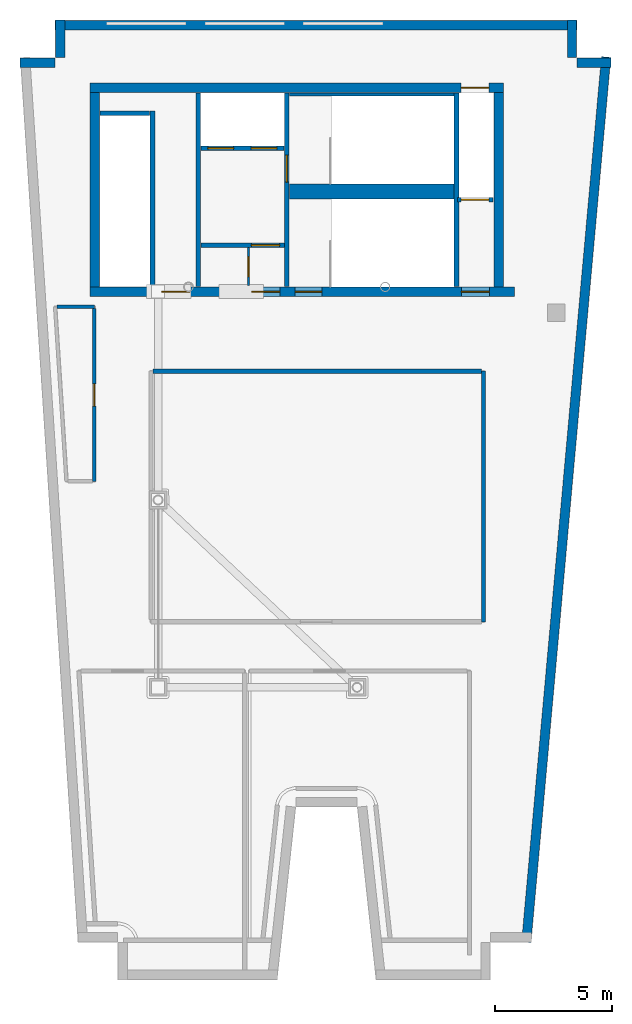
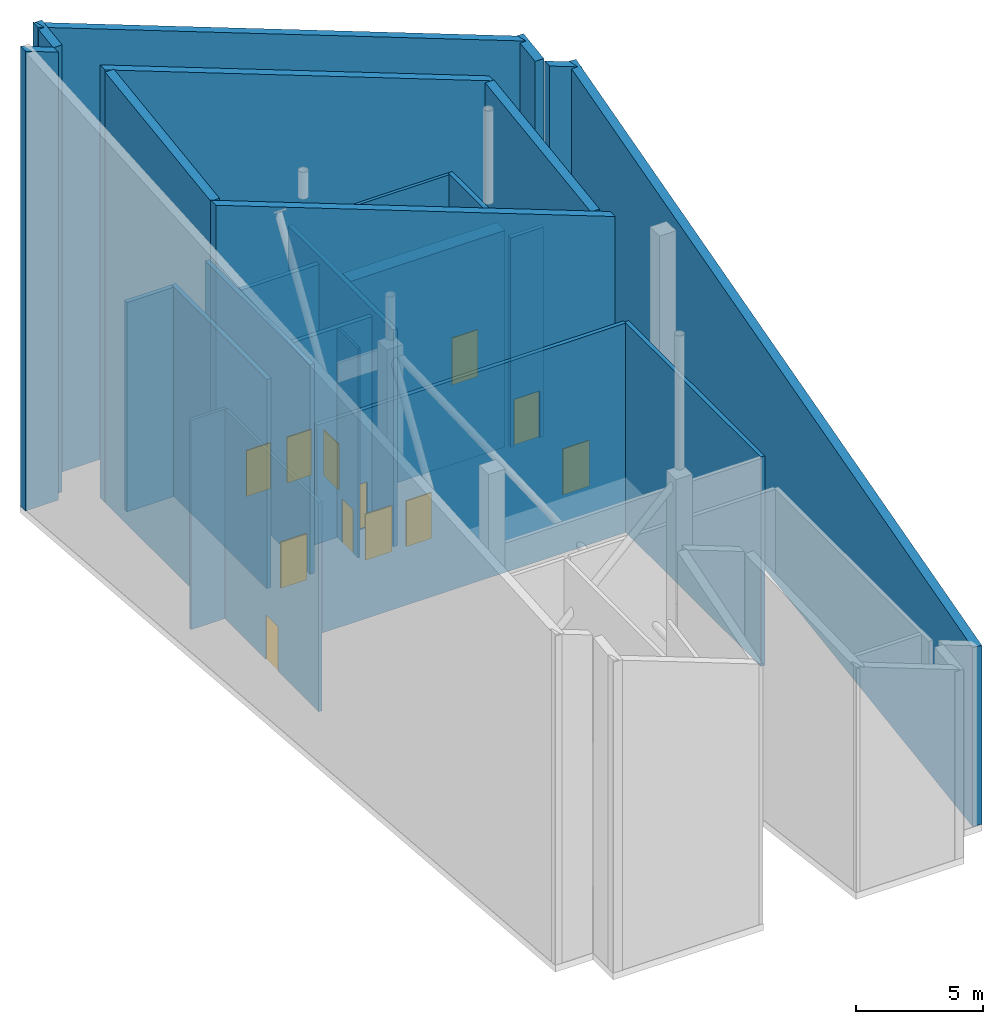
# One storey, part 2 of 3: 25 walls, 12 doors, 12 openings.
"""IFC4 building model written with IfcOpenShell, lengths in metres."""

import ifcopenshell
import ifcopenshell.guid

model = None  # the IFC model being written
_history = None  # IfcOwnerHistory: only IFC2X3 demands one
_inside = {}  # id of a spatial element -> (the spatial element, [elements in it])
_under = {}  # id of a project, library or spatial element -> (it, [spatial elements below it])
_declared = {}  # id of a project -> (the project, [libraries it declares])
_typed = {}  # id of a type object -> (the type object, [elements of that type])
_made_of = {}  # id of a material, layer set ... -> (it, [elements and type objects made of it])


def new_model(schema):
    """Start an empty IFC model of exactly this schema.

    Asked for "IFC4X3", IfcOpenShell would pick the latest addendum, in which some entities
    have other attributes; the version numbers below select the first issue.
    IFC2X3 requires an IfcOwnerHistory on every rooted entity: one is made here for all.
    """
    global model, _history
    if schema == "IFC4X3":
        model = ifcopenshell.file(schema_version=(4, 3, 0, 0))
    else:
        model = ifcopenshell.file(schema=schema)
    _inside.clear()
    _under.clear()
    _declared.clear()
    _typed.clear()
    _made_of.clear()
    _history = None
    if model.schema == "IFC2X3":
        org = make("IfcOrganization", Name="unknown")
        user = make(
            "IfcPersonAndOrganization",
            ThePerson=make("IfcPerson", FamilyName="unknown"),
            TheOrganization=org,
        )
        app = make(
            "IfcApplication",
            ApplicationDeveloper=org,
            Version="unknown",
            ApplicationFullName="unknown",
            ApplicationIdentifier="unknown",
        )
        _history = make(
            "IfcOwnerHistory",
            OwningUser=user,
            OwningApplication=app,
            ChangeAction="ADDED",
            CreationDate=0,
        )
    return model


def make(cls, **values):
    """One entity of the class cls with the attributes given. An attribute that is None is left unset."""
    return model.create_entity(
        cls, **{name: value for name, value in values.items() if value is not None}
    )


def rooted(cls, **values):
    """An entity with a GlobalId (a new one), such as an element, a storey or a relation."""
    return make(cls, GlobalId=ifcopenshell.guid.new(), OwnerHistory=_history, **values)


def si_unit(unit_type, name, prefix=None):
    """IfcSIUnit, for example si_unit("LENGTHUNIT", "METRE", prefix="MILLI")."""
    return make("IfcSIUnit", UnitType=unit_type, Prefix=prefix, Name=name)


def assignment(units):
    """IfcUnitAssignment: the units of a project."""
    return None if units is None else make("IfcUnitAssignment", Units=units)


def point(xyz):
    """IfcCartesianPoint."""
    return None if xyz is None else make("IfcCartesianPoint", Coordinates=xyz)


def direction(xyz):
    """IfcDirection."""
    return None if xyz is None else make("IfcDirection", DirectionRatios=xyz)


def frame(location, z_axis=None, x_axis=None):
    """IfcAxis2Placement3D, a coordinate frame: its origin and axes. An axis left out is left unset."""
    return make(
        "IfcAxis2Placement3D",
        Location=point(location),
        Axis=direction(z_axis),
        RefDirection=direction(x_axis),
    )


def frame_2d(location, x_axis=None):
    """IfcAxis2Placement2D, a coordinate frame in the plane: its origin and x axis."""
    return make(
        "IfcAxis2Placement2D", Location=point(location), RefDirection=direction(x_axis)
    )


def origin():
    """The frame at (0, 0, 0) with its axes left unset."""
    return frame((0.0, 0.0, 0.0))


def place(relative_to, where):
    """IfcLocalPlacement: puts the frame where relative to a parent placement (None: the world)."""
    return make(
        "IfcLocalPlacement", PlacementRelTo=relative_to, RelativePlacement=where
    )


def context(
    kind, dimensions, precision=None, world=None, true_north=None, identifier=None
):
    """IfcGeometricRepresentationContext, for example the 3D "Model" context."""
    return make(
        "IfcGeometricRepresentationContext",
        ContextIdentifier=identifier,
        ContextType=kind,
        CoordinateSpaceDimension=dimensions,
        Precision=precision,
        WorldCoordinateSystem=world,
        TrueNorth=true_north,
    )


def subcontext(parent, identifier, kind, view, scale=None):
    """IfcGeometricRepresentationSubContext, for example "Body" below "Model"."""
    return make(
        "IfcGeometricRepresentationSubContext",
        ContextIdentifier=identifier,
        ContextType=kind,
        ParentContext=parent,
        TargetScale=scale,
        TargetView=view,
    )


def project(units=None, contexts=None):
    """IfcProject with its units and contexts."""
    return rooted(
        "IfcProject",
        Name="project",
        RepresentationContexts=contexts,
        UnitsInContext=assignment(units),
    )


def spatial(cls, under=None, at=None, **own):
    """A site, building, storey or space (cls), placed at a placement, below another one or the project."""
    s = rooted(cls, ObjectPlacement=at, **own)
    if under is not None:
        _under.setdefault(under.id(), (under, []))[1].append(s)
    return s


def polyline(points):
    """IfcPolyline through the points."""
    return make("IfcPolyline", Points=[point(p) for p in points])


def profile(cls, at=None, kind="AREA", **sizes):
    """A parametric profile (cls). Its sizes go by their IFC names, for example OverallWidth=200.0."""
    return make(cls, ProfileType=kind, Position=at, **sizes)


def rectangle(**sizes):
    """IfcRectangleProfileDef."""
    return profile("IfcRectangleProfileDef", **sizes)


def outline(outer, holes=None, kind="AREA"):
    """IfcArbitraryClosedProfileDef: a profile drawn as a closed curve; with holes, ...WithVoids."""
    if holes is None:
        return make("IfcArbitraryClosedProfileDef", ProfileType=kind, OuterCurve=outer)
    return make(
        "IfcArbitraryProfileDefWithVoids",
        ProfileType=kind,
        OuterCurve=outer,
        InnerCurves=holes,
    )


def extrude(swept, where, along, depth):
    """IfcExtrudedAreaSolid: the profile swept, set in the frame where, extruded along a direction by depth."""
    return make(
        "IfcExtrudedAreaSolid",
        SweptArea=swept,
        Position=where,
        ExtrudedDirection=direction(along),
        Depth=depth,
    )


def shape(context_of_items, identifier, shape_type, items):
    """IfcShapeRepresentation: the items that make up one representation, for example the "Body"."""
    return make(
        "IfcShapeRepresentation",
        ContextOfItems=context_of_items,
        RepresentationIdentifier=identifier,
        RepresentationType=shape_type,
        Items=items,
    )


def material(Name=None, Category=None):
    """IfcMaterial."""
    return make("IfcMaterial", Name=Name, Category=Category)


def layer(
    of_material, thickness, ventilated=None, Name=None, Category=None, Priority=None
):
    """IfcMaterialLayer: one layer of a wall or slab, of a material (None: an air gap)."""
    return make(
        "IfcMaterialLayer",
        Material=of_material,
        LayerThickness=thickness,
        IsVentilated=ventilated,
        Name=Name,
        Category=Category,
        Priority=Priority,
    )


def layer_set(layers, Name=None):
    """IfcMaterialLayerSet."""
    return make("IfcMaterialLayerSet", MaterialLayers=layers, LayerSetName=Name)


def made_of(thing, what):
    """Note that an element or type object is made of a material, layer set ...; save() writes the relation."""
    if what is not None:
        _made_of.setdefault(what.id(), (what, []))[1].append(thing)
    return thing


def type_object(cls, material=None, **own):
    """A type object (cls), such as IfcWallType, which elements share."""
    return made_of(rooted(cls, **own), material)


def element(
    cls,
    number,
    at=None,
    inside=None,
    cuts=None,
    type_object=None,
    material=None,
    context=None,
    identifier="Body",
    shape_type=None,
    held_by="IfcProductDefinitionShape",
    body=None,
    shapes=None,
    **own,
):
    """One element of the class cls, such as IfcWall. Its Tag is "e" and its number.

    at: its placement. inside: the storey or other place that contains it. cuts: it is an
    opening in that element (IfcRelVoidsElement). A single representation is given by context,
    identifier, shape_type and body (its items); several are given by shapes. held_by: the class
    of the entity that holds the representations. save() writes the other relations.
    """
    e = rooted(cls, Tag="e%d" % number, ObjectPlacement=at, **own)
    if body is not None:
        shapes = [shape(context, identifier, shape_type, body)]
    if shapes is not None:
        e.Representation = make(held_by, Representations=shapes)
    if inside is not None:
        _inside.setdefault(inside.id(), (inside, []))[1].append(e)
    if cuts is not None:
        rooted(
            "IfcRelVoidsElement", RelatingBuildingElement=cuts, RelatedOpeningElement=e
        )
    if type_object is not None:
        _typed.setdefault(type_object.id(), (type_object, []))[1].append(e)
    return made_of(e, material)


def fill(opening, filler):
    """IfcRelFillsElement: the door or window that sits in an opening."""
    return rooted(
        "IfcRelFillsElement",
        RelatingOpeningElement=opening,
        RelatedBuildingElement=filler,
    )


def aggregate(whole, parts):
    """IfcRelAggregates: a whole, such as a stair, and the parts it consists of."""
    return rooted("IfcRelAggregates", RelatingObject=whole, RelatedObjects=parts)


def save(model, path):
    """Write the relations noted so far, then the file.

    IfcRelAggregates (storeys below a building ...), IfcRelContainedInSpatialStructure (elements
    in a storey), IfcRelDefinesByType, IfcRelAssociatesMaterial and IfcRelDeclares: one each for
    every whole, place, type object, material and project.
    """
    for whole, parts in _under.values():
        aggregate(whole, parts)
    for where, things in _inside.values():
        rooted(
            "IfcRelContainedInSpatialStructure",
            RelatedElements=things,
            RelatingStructure=where,
        )
    for kind, things in _typed.values():
        rooted("IfcRelDefinesByType", RelatedObjects=things, RelatingType=kind)
    for what, things in _made_of.values():
        rooted("IfcRelAssociatesMaterial", RelatedObjects=things, RelatingMaterial=what)
    for by, libraries in _declared.values():
        rooted("IfcRelDeclares", RelatingContext=by, RelatedDefinitions=libraries)
    model.write(path)


model = new_model("IFC4")

# Units and contexts
model_context = context("Model", 3, precision=1e-05, world=origin(), true_north=direction((0.0, 1.0)))
body_context = subcontext(model_context, "Body", "Model", "MODEL_VIEW")
ifc_project = project(units=[si_unit("LENGTHUNIT", "METRE"), si_unit("AREAUNIT", "SQUARE_METRE"), si_unit("VOLUMEUNIT", "CUBIC_METRE"), si_unit("PLANEANGLEUNIT", "RADIAN"), si_unit("MASSUNIT", "GRAM", prefix="KILO")], contexts=[model_context])

# Site, building, storey
site_placement = place(None, origin())
site = spatial("IfcSite", under=ifc_project, at=site_placement, CompositionType="ELEMENT")
building_placement = place(site_placement, origin())
building = spatial("IfcBuilding", under=site, at=building_placement, Name="Caeloran Harvest Quay", CompositionType="ELEMENT")
storey_placement = place(building_placement, frame((0.0, 0.0, 324.050048828125)))
storey = spatial("IfcBuildingStorey", under=building, at=storey_placement, Name="L78", CompositionType="ELEMENT", Elevation=324.050048828125)

# Wall, opening, door
ifc_material_1 = material(Name="Fire-Resisting Gypsum Core Riser Partition", Category="gypsum")
ifc_layer_1 = layer(ifc_material_1, 0.10009765625, Name="Fire-Resisting Gypsum Core Riser Partition")
ifc_layer_set_1 = layer_set([ifc_layer_1], Name="Fire-Resisting Gypsum Core Riser Partition")
wall_type_1 = type_object("IfcWallType", Name="INT-WALL-PW-100", PredefinedType="PARTITIONING", material=ifc_layer_set_1)
wall_1_placement = place(storey_placement, frame((12.360107421875, 32.159912109375, 0.0), z_axis=(0.0, 0.0, 1.0), x_axis=(0.0, 1.0, 0.0)))
wall_1 = element("IfcWall", 1, at=wall_1_placement, inside=storey, type_object=wall_type_1, Name="L78 Core Store Partition Wall", PredefinedType="PARTITIONING", context=body_context, shape_type="SweptSolid", body=[
    extrude(rectangle(XDim=1.6201171875, YDim=0.10009765625, at=frame_2d((0.81005859375, 0.0))), origin(), (0.0, 0.0, 1.0), 10.050048828125),
])
opening_1_placement = place(wall_1_placement, frame((0.3798828125, 0.0, 0.0)))
opening_1 = element("IfcOpeningElement", 2, at=opening_1_placement, cuts=wall_1, Name="Opening SV-01", PredefinedType="OPENING", context=body_context, shape_type="SweptSolid", body=[
    extrude(rectangle(XDim=0.85009765625, YDim=2.10009765625, at=frame_2d((0.425048828125, 1.050048828125))), frame((0.0, 0.06005859375, 0.0), z_axis=(0.0, -1.0, 0.0), x_axis=(1.0, 0.0, 0.0)), (0.0, 0.0, 1.0), 0.1201171875),
])
ifc_material_2 = material(Name="Galvanized Painted Steel", Category="steel")
door_type_1 = type_object("IfcDoorType", Name="INTDOOR-SV-01", OperationType="NOTDEFINED", PredefinedType="DOOR", material=ifc_material_2)
door_1_placement = place(opening_1_placement, origin())
door_1 = element("IfcDoor", 3, at=door_1_placement, inside=storey, type_object=door_type_1, Name="L78 Core Service Room Access Door", OperationType="SINGLE_SWING_RIGHT", OverallHeight=2.10009765625, OverallWidth=0.85009765625, PredefinedType="DOOR", context=body_context, shape_type="SweptSolid", body=[
    extrude(rectangle(XDim=0.85009765625, YDim=2.10009765625, at=frame_2d((0.425048828125, 1.050048828125))), frame((0.0, 0.02490234375, 0.0), z_axis=(0.0, -1.0, 0.0), x_axis=(1.0, 0.0, 0.0)), (0.0, 0.0, 1.0), 0.050048828125),
])
fill(opening_1, door_1)

# Wall
ifc_material_3 = material(Name="Moisture-Resistant Cement-Board Sanitary Partition", Category="gypsum")
ifc_layer_2 = layer(ifc_material_3, 0.139892578125, Name="Moisture-Resistant Cement-Board Sanitary Partition")
ifc_layer_set_2 = layer_set([ifc_layer_2], Name="Moisture-Resistant Cement-Board Sanitary Partition")
wall_type_2 = type_object("IfcWallType", Name="INT-WALL-PW-140", PredefinedType="PARTITIONING", material=ifc_layer_set_2)
wall_2_placement = place(storey_placement, frame((4.17724609375, 31.25, 0.0), z_axis=(0.0, 0.0, 1.0), x_axis=(1.0, 0.0, 0.0)))
element("IfcWall", 4, at=wall_2_placement, inside=storey, type_object=wall_type_2, Name="L78 Maintenance Staff Accessible WC Partition Wall", PredefinedType="PARTITIONING", context=body_context, shape_type="SweptSolid", body=[
    extrude(rectangle(XDim=1.602783203125, YDim=0.139892578125, at=frame_2d((0.80126953125, 0.0))), origin(), (0.0, 0.0, 1.0), 10.050048828125),
])

# Wall, opening, door
wall_3_placement = place(storey_placement, frame((5.780029296875, 31.175048828125, 0.0), z_axis=(0.0, 0.0, 1.0), x_axis=(0.0, -1.0, 0.0)))
wall_3 = element("IfcWall", 5, at=wall_3_placement, inside=storey, type_object=wall_type_2, Name="L78 Maintenance Staff Accessible WC Partition Wall", PredefinedType="PARTITIONING", context=body_context, shape_type="SweptSolid", body=[
    extrude(rectangle(XDim=7.375, YDim=0.139892578125, at=frame_2d((3.6875, 0.0))), origin(), (0.0, 0.0, 1.0), 10.050048828125),
])
opening_2_placement = place(wall_3_placement, frame((3.21240234375, 0.0, 0.0)))
opening_2 = element("IfcOpeningElement", 6, at=opening_2_placement, cuts=wall_3, Name="Opening WC-01", PredefinedType="OPENING", context=body_context, shape_type="SweptSolid", body=[
    extrude(rectangle(XDim=0.949951171875, YDim=2.14990234375, at=frame_2d((0.47509765625, 1.074951171875))), frame((0.0, 0.080078125, 0.0), z_axis=(0.0, -1.0, 0.0), x_axis=(1.0, 0.0, 0.0)), (0.0, 0.0, 1.0), 0.159912109375),
])
ifc_material_4 = material(Name="High-Pressure Laminate Moisture-Resistant Timber", Category="wood")
door_type_2 = type_object("IfcDoorType", Name="INTDOOR-WC-01", OperationType="NOTDEFINED", PredefinedType="DOOR", material=ifc_material_4)
door_2_placement = place(opening_2_placement, origin())
door_2 = element("IfcDoor", 7, at=door_2_placement, inside=storey, type_object=door_type_2, Name="L78 Maintenance Staff Accessible WC Access Door", OperationType="SINGLE_SWING_LEFT", OverallHeight=2.14990234375, OverallWidth=0.949951171875, PredefinedType="DOOR", context=body_context, shape_type="SweptSolid", body=[
    extrude(rectangle(XDim=0.949951171875, YDim=2.14990234375, at=frame_2d((0.47509765625, 1.074951171875))), frame((0.0, 0.02490234375, 0.0), z_axis=(0.0, -1.0, 0.0), x_axis=(1.0, 0.0, 0.0)), (0.0, 0.0, 1.0), 0.050048828125),
])
fill(opening_2, door_2)

# Walls
ifc_material_5 = material(Name="Autoclaved Aerated Concrete Blockwork", Category="masonry")
ifc_layer_3 = layer(ifc_material_5, 0.179931640625, Name="Autoclaved Aerated Concrete Blockwork")
ifc_layer_set_3 = layer_set([ifc_layer_3], Name="Autoclaved Aerated Concrete Blockwork")
wall_type_3 = type_object("IfcWallType", Name="INT-WALL-PW-180", PredefinedType="PARTITIONING", material=ifc_layer_set_3)
wall_4_placement = place(storey_placement, frame((22.39990234375, 28.5, 0.0), z_axis=(0.0, 0.0, 1.0), x_axis=(0.0, -1.0, 0.0)))
element("IfcWall", 8, at=wall_4_placement, inside=storey, type_object=wall_type_3, Name="Crown Rainwater Harvesting Storage and Gravity Header Tank Room Partition Wall", PredefinedType="PARTITIONING", context=body_context, shape_type="SweptSolid", body=[
    extrude(rectangle(XDim=10.699951171875, YDim=0.179931640625, at=frame_2d((5.35009765625, 0.0))), origin(), (0.0, 0.0, 1.0), 10.050048828125),
])
wall_5_placement = place(storey_placement, frame((8.294921875, 28.5, 0.0), z_axis=(0.0, 0.0, 1.0), x_axis=(1.0, 0.0, 0.0)))
element("IfcWall", 9, at=wall_5_placement, inside=storey, type_object=wall_type_3, Name="Crown Rainwater Harvesting Storage and Gravity Header Tank Room Partition Wall", PredefinedType="PARTITIONING", context=body_context, shape_type="SweptSolid", body=[
    extrude(rectangle(XDim=14.010009765625, YDim=0.179931640625, at=frame_2d((7.0048828125, 0.0))), origin(), (0.0, 0.0, 1.0), 10.050048828125),
])
ifc_material_6 = material(Name="Concrete C50/60", Category="concrete")
ifc_layer_4 = layer(ifc_material_6, 0.199951171875, Name="Concrete C50/60")
ifc_layer_set_4 = layer_set([ifc_layer_4], Name="Concrete C50/60")
wall_type_4 = type_object("IfcWallType", Name="INT-WALL-SW-200", PredefinedType="PARTITIONING", material=ifc_layer_set_4)
wall_6_placement = place(storey_placement, frame((8.260009765625, 32.1201171875, 0.0), z_axis=(0.0, 0.0, 1.0), x_axis=(0.0, 1.0, 0.0)))
element("IfcWall", 10, at=wall_6_placement, inside=storey, type_object=wall_type_4, Name="L78 Bank 3 Lift Shaft Wall", PredefinedType="PARTITIONING", context=body_context, shape_type="SweptSolid", body=[
    extrude(rectangle(XDim=7.5, YDim=0.199951171875, at=frame_2d((3.75, 0.0))), origin(), (0.0, 0.0, 1.0), 10.050048828125),
])
wall_7_placement = place(storey_placement, frame((6.02001953125, 39.52001953125, 0.0), z_axis=(0.0, 0.0, 1.0), x_axis=(1.0, 0.0, 0.0)))
element("IfcWall", 11, at=wall_7_placement, inside=storey, type_object=wall_type_4, Name="L78 Bank 3 Lift Shaft North End Wall", PredefinedType="PARTITIONING", context=body_context, shape_type="SweptSolid", body=[
    extrude(rectangle(XDim=2.119873046875, YDim=0.199951171875, at=frame_2d((1.06005859375, 0.0))), origin(), (0.0, 0.0, 1.0), 10.050048828125),
])
wall_8_placement = place(storey_placement, frame((10.219970703125, 32.1201171875, 0.0), z_axis=(0.0, 0.0, 1.0), x_axis=(0.0, 1.0, 0.0)))
element("IfcWall", 12, at=wall_8_placement, inside=storey, type_object=wall_type_4, Name="L78 Core Lobby Compartment Wall", PredefinedType="PARTITIONING", context=body_context, shape_type="SweptSolid", body=[
    extrude(rectangle(XDim=8.259765625, YDim=0.199951171875, at=frame_2d((4.1298828125, 0.0))), origin(), (0.0, 0.0, 1.0), 10.050048828125),
])

# Wall, openings, doors
wall_9_placement = place(storey_placement, frame((10.340087890625, 38.02001953125, 0.0), z_axis=(0.0, 0.0, 1.0), x_axis=(1.0, 0.0, 0.0)))
wall_9 = element("IfcWall", 13, at=wall_9_placement, inside=storey, type_object=wall_type_4, Name="L78 Firefighting Lift Shaft Wall", PredefinedType="PARTITIONING", context=body_context, shape_type="SweptSolid", body=[
    extrude(rectangle(XDim=3.539794921875, YDim=0.199951171875, at=frame_2d((1.77001953125, 0.0))), origin(), (0.0, 0.0, 1.0), 10.050048828125),
])
opening_3_placement = place(wall_9_placement, frame((0.284912109375, 0.0, 0.0)))
opening_3 = element("IfcOpeningElement", 14, at=opening_3_placement, cuts=wall_9, Name="Opening LD-01", PredefinedType="OPENING", context=body_context, shape_type="SweptSolid", body=[
    extrude(rectangle(XDim=1.10009765625, YDim=2.199951171875, at=frame_2d((0.550048828125, 1.10009765625))), frame((0.0, 0.10986328125, 0.0), z_axis=(0.0, -1.0, 0.0), x_axis=(1.0, 0.0, 0.0)), (0.0, 0.0, 1.0), 0.219970703125),
])
opening_4_placement = place(wall_9_placement, frame((2.135009765625, 0.0, 0.0)))
opening_4 = element("IfcOpeningElement", 15, at=opening_4_placement, cuts=wall_9, Name="Opening LD-01", PredefinedType="OPENING", context=body_context, shape_type="SweptSolid", body=[
    extrude(rectangle(XDim=1.10009765625, YDim=2.199951171875, at=frame_2d((0.550048828125, 1.10009765625))), frame((0.0, 0.10986328125, 0.0), z_axis=(0.0, -1.0, 0.0), x_axis=(1.0, 0.0, 0.0)), (0.0, 0.0, 1.0), 0.219970703125),
])
ifc_material_7 = material(Name="Stainless Steel Grade 316", Category="steel")
door_type_3 = type_object("IfcDoorType", Name="INTDOOR-LD-01", OperationType="NOTDEFINED", PredefinedType="DOOR", material=ifc_material_7)
door_3_placement = place(opening_3_placement, origin())
door_3 = element("IfcDoor", 16, at=door_3_placement, inside=storey, type_object=door_type_3, Name="Lift FF-1 Sliding Landing Door (L78)", OperationType="DOUBLE_DOOR_SLIDING", OverallHeight=2.199951171875, OverallWidth=1.10009765625, PredefinedType="DOOR", context=body_context, shape_type="SweptSolid", body=[
    extrude(rectangle(XDim=1.10009765625, YDim=2.199951171875, at=frame_2d((0.550048828125, 1.10009765625))), frame((0.0, 0.02490234375, 0.0), z_axis=(0.0, -1.0, 0.0), x_axis=(1.0, 0.0, 0.0)), (0.0, 0.0, 1.0), 0.050048828125),
])
fill(opening_3, door_3)
door_4_placement = place(opening_4_placement, origin())
door_4 = element("IfcDoor", 17, at=door_4_placement, inside=storey, type_object=door_type_3, Name="Lift FF-2 Sliding Landing Door (L78)", OperationType="DOUBLE_DOOR_SLIDING", OverallHeight=2.199951171875, OverallWidth=1.10009765625, PredefinedType="DOOR", context=body_context, shape_type="SweptSolid", body=[
    extrude(rectangle(XDim=1.10009765625, YDim=2.199951171875, at=frame_2d((0.550048828125, 1.10009765625))), frame((0.0, 0.02490234375, 0.0), z_axis=(0.0, -1.0, 0.0), x_axis=(1.0, 0.0, 0.0)), (0.0, 0.0, 1.0), 0.050048828125),
])
fill(opening_4, door_4)

# Wall, opening, door
wall_10_placement = place(storey_placement, frame((10.340087890625, 33.8798828125, 0.0), z_axis=(0.0, 0.0, 1.0), x_axis=(1.0, 0.0, 0.0)))
wall_10 = element("IfcWall", 18, at=wall_10_placement, inside=storey, type_object=wall_type_4, Name="L78 Firefighting Lift Lobby Enclosure Wall", PredefinedType="PARTITIONING", context=body_context, shape_type="SweptSolid", body=[
    extrude(rectangle(XDim=3.559814453125, YDim=0.199951171875, at=frame_2d((1.77978515625, 0.0))), origin(), (0.0, 0.0, 1.0), 10.050048828125),
])
opening_5_placement = place(wall_10_placement, frame((2.14990234375, 0.0, 0.0)))
opening_5 = element("IfcOpeningElement", 19, at=opening_5_placement, cuts=wall_10, Name="Opening FD-01", PredefinedType="OPENING", context=body_context, shape_type="SweptSolid", body=[
    extrude(rectangle(XDim=1.199951171875, YDim=2.199951171875, at=frame_2d((0.60009765625, 1.10009765625))), frame((0.0, 0.10986328125, 0.0), z_axis=(0.0, -1.0, 0.0), x_axis=(1.0, 0.0, 0.0)), (0.0, 0.0, 1.0), 0.219970703125),
])
ifc_material_8 = material(Name="Steel", Category="steel")
door_type_4 = type_object("IfcDoorType", Name="INTDOOR-FD-01", OperationType="NOTDEFINED", PredefinedType="DOOR", material=ifc_material_8)
door_5_placement = place(opening_5_placement, origin())
door_5 = element("IfcDoor", 20, at=door_5_placement, inside=storey, type_object=door_type_4, Name="L78 Firefighting Lift Lobby Smoke-Seal Fire Door", OperationType="SINGLE_SWING_LEFT", OverallHeight=2.199951171875, OverallWidth=1.199951171875, PredefinedType="DOOR", context=body_context, shape_type="SweptSolid", body=[
    extrude(rectangle(XDim=1.199951171875, YDim=2.199951171875, at=frame_2d((0.60009765625, 1.10009765625))), frame((0.0, 0.02490234375, 0.0), z_axis=(0.0, -1.0, 0.0), x_axis=(1.0, 0.0, 0.0)), (0.0, 0.0, 1.0), 0.050048828125),
])
fill(opening_5, door_5)

wall_11_placement = place(storey_placement, frame((21.300048828125, 35.820068359375, 0.0), z_axis=(0.0, 0.0, 1.0), x_axis=(1.0, 0.0, 0.0)))
wall_11 = element("IfcWall", 21, at=wall_11_placement, inside=storey, type_object=wall_type_4, Name="L78 Service Lift SV-2 Shaft Wall", PredefinedType="PARTITIONING", context=body_context, shape_type="SweptSolid", body=[
    extrude(rectangle(XDim=1.5, YDim=0.199951171875, at=frame_2d((0.75, 0.0))), origin(), (0.0, 0.0, 1.0), 10.050048828125),
])
opening_6_placement = place(wall_11_placement, frame((0.14501953125, 0.0, 0.0)))
opening_6 = element("IfcOpeningElement", 22, at=opening_6_placement, cuts=wall_11, Name="Opening LD-02", PredefinedType="OPENING", context=body_context, shape_type="SweptSolid", body=[
    extrude(rectangle(XDim=1.179931640625, YDim=2.25, at=frame_2d((0.58984375, 1.125))), frame((0.0, 0.10986328125, 0.0), z_axis=(0.0, -1.0, 0.0), x_axis=(1.0, 0.0, 0.0)), (0.0, 0.0, 1.0), 0.219970703125),
])
door_type_5 = type_object("IfcDoorType", Name="INTDOOR-LD-02", OperationType="NOTDEFINED", PredefinedType="DOOR", material=ifc_material_7)
door_6_placement = place(opening_6_placement, origin())
door_6 = element("IfcDoor", 23, at=door_6_placement, inside=storey, type_object=door_type_5, Name="Lift SV-2 Sliding Landing Door (L78)", OperationType="DOUBLE_DOOR_SLIDING", OverallHeight=2.25, OverallWidth=1.179931640625, PredefinedType="DOOR", context=body_context, shape_type="SweptSolid", body=[
    extrude(rectangle(XDim=1.179931640625, YDim=2.25, at=frame_2d((0.58984375, 1.125))), frame((0.0, 0.02490234375, 0.0), z_axis=(0.0, -1.0, 0.0), x_axis=(1.0, 0.0, 0.0)), (0.0, 0.0, 1.0), 0.050048828125),
])
fill(opening_6, door_6)

ifc_material_9 = material(Name="Concrete C60/75", Category="concrete")
ifc_layer_5 = layer(ifc_material_9, 0.39990234375, Name="Concrete C60/75")
ifc_layer_set_5 = layer_set([ifc_layer_5], Name="Concrete C60/75")
wall_type_5 = type_object("IfcWallType", Name="STR-WALL-CW-400", PredefinedType="SHEAR", material=ifc_layer_set_5)
wall_12_placement = place(storey_placement, frame((5.60009765625, 40.60009765625, 0.0), z_axis=(0.0, 0.0, 1.0), x_axis=(1.0, 0.0, 0.0)))
wall_12 = element("IfcWall", 24, at=wall_12_placement, inside=storey, type_object=wall_type_5, Name="L78 Rear Core Shear Wall N", PredefinedType="SHEAR", context=body_context, shape_type="SweptSolid", body=[
    extrude(outline(polyline([(0.0, 0.0), (17.64990234375, 0.0), (17.64990234375, 14.06689453125), (0.0, 20.77392578125), (0.0, 0.0)])), frame((0.0, 0.199951171875, 0.0), z_axis=(0.0, -1.0, 0.0), x_axis=(1.0, 0.0, 0.0)), (0.0, 0.0, 1.0), 0.39990234375),
])
opening_7_placement = place(wall_12_placement, frame((15.844970703125, 0.0, 0.0)))
opening_7 = element("IfcOpeningElement", 25, at=opening_7_placement, cuts=wall_12, Name="Opening LD-02", PredefinedType="OPENING", context=body_context, shape_type="SweptSolid", body=[
    extrude(rectangle(XDim=1.179931640625, YDim=2.25, at=frame_2d((0.58984375, 1.125))), frame((0.0, 0.2099609375, 0.0), z_axis=(0.0, -1.0, 0.0), x_axis=(1.0, 0.0, 0.0)), (0.0, 0.0, 1.0), 0.419921875),
])
door_7_placement = place(opening_7_placement, origin())
door_7 = element("IfcDoor", 26, at=door_7_placement, inside=storey, type_object=door_type_5, Name="Lift SV-1 Sliding Landing Door (L78)", OperationType="DOUBLE_DOOR_SLIDING", OverallHeight=2.25, OverallWidth=1.179931640625, PredefinedType="DOOR", context=body_context, shape_type="SweptSolid", body=[
    extrude(rectangle(XDim=1.179931640625, YDim=2.25, at=frame_2d((0.58984375, 1.125))), frame((0.0, 0.02490234375, 0.0), z_axis=(0.0, -1.0, 0.0), x_axis=(1.0, 0.0, 0.0)), (0.0, 0.0, 1.0), 0.050048828125),
])
fill(opening_7, door_7)

# Wall, openings, doors
wall_13_placement = place(storey_placement, frame((5.60009765625, 31.89990234375, 0.0), z_axis=(0.0, 0.0, 1.0), x_axis=(1.0, 0.0, 0.0)))
wall_13 = element("IfcWall", 27, at=wall_13_placement, inside=storey, type_object=wall_type_5, Name="L78 Rear Core Shear Wall S", PredefinedType="SHEAR", context=body_context, shape_type="SweptSolid", body=[
    extrude(outline(polyline([(0.0, 0.0), (18.119873046875, 0.0), (18.1201171875, 12.67041015625), (0.0, 19.555908203125), (0.0, 0.0)])), frame((0.0, 0.199951171875, 0.0), z_axis=(0.0, -1.0, 0.0), x_axis=(1.0, 0.0, 0.0)), (0.0, 0.0, 1.0), 0.39990234375),
])
opening_8_placement = place(wall_13_placement, frame((3.050048828125, 0.0, 0.0)))
opening_8 = element("IfcOpeningElement", 28, at=opening_8_placement, cuts=wall_13, Name="Opening FD-01", PredefinedType="OPENING", context=body_context, shape_type="SweptSolid", body=[
    extrude(rectangle(XDim=1.199951171875, YDim=2.199951171875, at=frame_2d((0.60009765625, 1.10009765625))), frame((0.0, 0.2099609375, 0.0), z_axis=(0.0, -1.0, 0.0), x_axis=(1.0, 0.0, 0.0)), (0.0, 0.0, 1.0), 0.419921875),
])
opening_9_placement = place(wall_13_placement, frame((6.89990234375, 0.0, 0.0)))
opening_9 = element("IfcOpeningElement", 29, at=opening_9_placement, cuts=wall_13, Name="Opening FD-01", PredefinedType="OPENING", context=body_context, shape_type="SweptSolid", body=[
    extrude(rectangle(XDim=1.199951171875, YDim=2.199951171875, at=frame_2d((0.60009765625, 1.10009765625))), frame((0.0, 0.2099609375, 0.0), z_axis=(0.0, -1.0, 0.0), x_axis=(1.0, 0.0, 0.0)), (0.0, 0.0, 1.0), 0.419921875),
])
opening_10_placement = place(wall_13_placement, frame((8.75, 0.0, 0.0)))
opening_10 = element("IfcOpeningElement", 30, at=opening_10_placement, cuts=wall_13, Name="Opening SD-01", PredefinedType="OPENING", context=body_context, shape_type="SweptSolid", body=[
    extrude(rectangle(XDim=1.14990234375, YDim=2.199951171875, at=frame_2d((0.574951171875, 1.10009765625))), frame((0.0, 0.2099609375, 0.0), z_axis=(0.0, -1.0, 0.0), x_axis=(1.0, 0.0, 0.0)), (0.0, 0.0, 1.0), 0.419921875),
])
opening_11_placement = place(wall_13_placement, frame((15.85009765625, 0.0, 0.0)))
opening_11 = element("IfcOpeningElement", 31, at=opening_11_placement, cuts=wall_13, Name="Opening FD-01", PredefinedType="OPENING", context=body_context, shape_type="SweptSolid", body=[
    extrude(rectangle(XDim=1.199951171875, YDim=2.199951171875, at=frame_2d((0.60009765625, 1.10009765625))), frame((0.0, 0.2099609375, 0.0), z_axis=(0.0, -1.0, 0.0), x_axis=(1.0, 0.0, 0.0)), (0.0, 0.0, 1.0), 0.419921875),
])
door_8_placement = place(opening_8_placement, origin())
door_8 = element("IfcDoor", 32, at=door_8_placement, inside=storey, type_object=door_type_4, Name="L78 High-Rise Lift Lobby Fire Door", OperationType="SINGLE_SWING_LEFT", OverallHeight=2.199951171875, OverallWidth=1.199951171875, PredefinedType="DOOR", context=body_context, shape_type="SweptSolid", body=[
    extrude(rectangle(XDim=1.199951171875, YDim=2.199951171875, at=frame_2d((0.60009765625, 1.10009765625))), frame((0.0, 0.02490234375, 0.0), z_axis=(0.0, -1.0, 0.0), x_axis=(1.0, 0.0, 0.0)), (0.0, 0.0, 1.0), 0.050048828125),
])
fill(opening_8, door_8)
door_9_placement = place(opening_9_placement, origin())
door_9 = element("IfcDoor", 33, at=door_9_placement, inside=storey, type_object=door_type_4, Name="L78 Firefighting Lobby Vestibule Fire Door", OperationType="SINGLE_SWING_RIGHT", OverallHeight=2.199951171875, OverallWidth=1.199951171875, PredefinedType="DOOR", context=body_context, shape_type="SweptSolid", body=[
    extrude(rectangle(XDim=1.199951171875, YDim=2.199951171875, at=frame_2d((0.60009765625, 1.10009765625))), frame((0.0, 0.02490234375, 0.0), z_axis=(0.0, -1.0, 0.0), x_axis=(1.0, 0.0, 0.0)), (0.0, 0.0, 1.0), 0.050048828125),
])
fill(opening_9, door_9)
door_10_placement = place(opening_11_placement, origin())
door_10 = element("IfcDoor", 34, at=door_10_placement, inside=storey, type_object=door_type_4, Name="L78 Service Lift Lobby Fire Door", OperationType="SINGLE_SWING_RIGHT", OverallHeight=2.199951171875, OverallWidth=1.199951171875, PredefinedType="DOOR", context=body_context, shape_type="SweptSolid", body=[
    extrude(rectangle(XDim=1.199951171875, YDim=2.199951171875, at=frame_2d((0.60009765625, 1.10009765625))), frame((0.0, 0.02490234375, 0.0), z_axis=(0.0, -1.0, 0.0), x_axis=(1.0, 0.0, 0.0)), (0.0, 0.0, 1.0), 0.050048828125),
])
fill(opening_11, door_10)
door_type_6 = type_object("IfcDoorType", Name="INTDOOR-SD-01", OperationType="NOTDEFINED", PredefinedType="DOOR", material=ifc_material_8)
door_11_placement = place(opening_10_placement, origin())
door_11 = element("IfcDoor", 35, at=door_11_placement, inside=storey, type_object=door_type_6, Name="L78 Protected Stair ST-C2 Exit Door", OperationType="SINGLE_SWING_LEFT", OverallHeight=2.199951171875, OverallWidth=1.14990234375, PredefinedType="DOOR", context=body_context, shape_type="SweptSolid", body=[
    extrude(rectangle(XDim=1.14990234375, YDim=2.199951171875, at=frame_2d((0.574951171875, 1.10009765625))), frame((0.0, 0.02490234375, 0.0), z_axis=(0.0, -1.0, 0.0), x_axis=(1.0, 0.0, 0.0)), (0.0, 0.0, 1.0), 0.050048828125),
])
fill(opening_10, door_11)

# Walls
wall_14_placement = place(storey_placement, frame((5.800048828125, 32.10009765625, 0.0), z_axis=(0.0, 0.0, 1.0), x_axis=(0.0, 1.0, 0.0)))
element("IfcWall", 36, at=wall_14_placement, inside=storey, type_object=wall_type_5, Name="L78 Rear Core Shear Wall W", PredefinedType="SHEAR", context=body_context, shape_type="SweptSolid", body=[
    extrude(outline(polyline([(0.0, 0.0), (8.2998046875, 0.0), (8.300048828125, 20.669921875), (0.0, 19.508056640625), (0.0, 0.0)])), frame((0.0, 0.199951171875, 0.0), z_axis=(0.0, -1.0, 0.0), x_axis=(1.0, 0.0, 0.0)), (0.0, 0.0, 1.0), 0.39990234375),
])
wall_15_placement = place(storey_placement, frame((23.050048828125, 32.10009765625, 0.0), z_axis=(0.0, 0.0, 1.0), x_axis=(0.0, 1.0, 0.0)))
element("IfcWall", 37, at=wall_15_placement, inside=storey, type_object=wall_type_5, Name="L78 Rear Core Shear Wall E", PredefinedType="SHEAR", context=body_context, shape_type="SweptSolid", body=[
    extrude(outline(polyline([(0.0, 0.0), (8.2998046875, 0.0), (8.300048828125, 14.114990234375), (0.0, 12.952880859375), (0.0, 0.0)])), frame((0.0, 0.199951171875, 0.0), z_axis=(0.0, -1.0, 0.0), x_axis=(1.0, 0.0, 0.0)), (0.0, 0.0, 1.0), 0.39990234375),
])
wall_16_placement = place(storey_placement, frame((24.227783203125, 4.119873046875, 0.0), z_axis=(0.0, 0.0, 1.0), x_axis=(0.089818853105, 0.99595811841, 0.0)))
element("IfcWall", 38, at=wall_16_placement, inside=storey, type_object=wall_type_5, Name="CROWN FRAME Sloped Architectural Concrete Enclosure Wall 8", PredefinedType="SHEAR", context=body_context, shape_type="SweptSolid", body=[
    extrude(outline(polyline([(0.0, 0.0), (37.953369140625, 0.0), (37.953369140625, 12.5849609375), (0.0, 8.588134765625), (0.0, 0.0)])), frame((0.0, 0.199951171875, 0.0), z_axis=(0.0, -1.0, 0.0), x_axis=(1.0, 0.0, 0.0)), (0.0, 0.0, 1.0), 0.39990234375),
])
wall_17_placement = place(storey_placement, frame((27.855712890625, 41.679931640625, 0.0), z_axis=(0.0, 0.0, 1.0), x_axis=(-1.0, 0.0, 0.0)))
element("IfcWall", 39, at=wall_17_placement, inside=storey, type_object=wall_type_5, Name="CROWN FRAME Sloped Architectural Concrete Enclosure Wall 9", PredefinedType="SHEAR", context=body_context, shape_type="SweptSolid", body=[
    extrude(outline(polyline([(0.0, 0.0), (1.455810546875, 0.0), (1.455810546875, 13.021240234375), (0.0, 12.468017578125), (0.0, 0.0)])), frame((0.0, 0.199951171875, 0.0), z_axis=(0.0, -1.0, 0.0), x_axis=(1.0, 0.0, 0.0)), (0.0, 0.0, 1.0), 0.39990234375),
])
wall_18_placement = place(storey_placement, frame((26.179931640625, 41.89990234375, 0.0), z_axis=(0.0, 0.0, 1.0), x_axis=(0.0, 1.0, 0.0)))
element("IfcWall", 40, at=wall_18_placement, inside=storey, type_object=wall_type_5, Name="CROWN FRAME Sloped Architectural Concrete Enclosure Wall 10", PredefinedType="SHEAR", context=body_context, shape_type="SweptSolid", body=[
    extrude(outline(polyline([(0.0, 0.0), (1.60009765625, 0.0), (1.60009765625, 13.359619140625), (0.0, 13.135498046875), (0.0, 0.0)])), frame((0.0, 0.199951171875, 0.0), z_axis=(0.0, -1.0, 0.0), x_axis=(1.0, 0.0, 0.0)), (0.0, 0.0, 1.0), 0.39990234375),
])
wall_19_placement = place(storey_placement, frame((26.39990234375, 43.280029296875, 0.0), z_axis=(0.0, 0.0, 1.0), x_axis=(-1.0, 0.0, 0.0)))
element("IfcWall", 41, at=wall_19_placement, inside=storey, type_object=wall_type_5, Name="CROWN FRAME Sloped Architectural Concrete Enclosure Wall 11", PredefinedType="SHEAR", context=body_context, shape_type="SweptSolid", body=[
    extrude(outline(polyline([(0.0, 0.0), (22.2998046875, 0.0), (22.300048828125, 21.71923828125), (0.0, 13.2451171875), (0.0, 0.0)])), frame((0.0, 0.199951171875, 0.0), z_axis=(0.0, -1.0, 0.0), x_axis=(1.0, 0.0, 0.0)), (0.0, 0.0, 1.0), 0.39990234375),
])
wall_20_placement = place(storey_placement, frame((4.320068359375, 43.5, 0.0), z_axis=(0.0, 0.0, 1.0), x_axis=(0.0, -1.0, 0.0)))
element("IfcWall", 42, at=wall_20_placement, inside=storey, type_object=wall_type_5, Name="CROWN FRAME Sloped Architectural Concrete Enclosure Wall 12", PredefinedType="SHEAR", context=body_context, shape_type="SweptSolid", body=[
    extrude(outline(polyline([(0.0, 0.0), (1.60009765625, 0.0), (1.60009765625, 21.4423828125), (0.0, 21.666259765625), (0.0, 0.0)])), frame((0.0, 0.199951171875, 0.0), z_axis=(0.0, -1.0, 0.0), x_axis=(1.0, 0.0, 0.0)), (0.0, 0.0, 1.0), 0.39990234375),
])
wall_21_placement = place(storey_placement, frame((4.10009765625, 41.679931640625, 0.0), z_axis=(0.0, 0.0, 1.0), x_axis=(-1.0, 0.0, 0.0)))
element("IfcWall", 43, at=wall_21_placement, inside=storey, type_object=wall_type_5, Name="CROWN FRAME Sloped Architectural Concrete Enclosure Wall 13", PredefinedType="SHEAR", context=body_context, shape_type="SweptSolid", body=[
    extrude(outline(polyline([(0.0, 0.0), (1.49560546875, 0.0), (1.49560546875, 22.0634765625), (0.0, 21.4951171875), (0.0, 0.0)])), frame((0.0, 0.199951171875, 0.0), z_axis=(0.0, -1.0, 0.0), x_axis=(1.0, 0.0, 0.0)), (0.0, 0.0, 1.0), 0.39990234375),
])
ifc_layer_6 = layer(ifc_material_9, 0.64990234375, Name="Concrete C60/75")
ifc_layer_set_6 = layer_set([ifc_layer_6], Name="Concrete C60/75")
wall_type_6 = type_object("IfcWallType", Name="STR-WALL-CW-650", PredefinedType="SHEAR", material=ifc_layer_set_6)
wall_22_placement = place(storey_placement, frame((14.1201171875, 36.175048828125, 0.0), z_axis=(0.0, 0.0, 1.0), x_axis=(1.0, 0.0, 0.0)))
element("IfcWall", 44, at=wall_22_placement, inside=storey, type_object=wall_type_6, Name="L78 Core Stairs Dividing Shear Wall", PredefinedType="SHEAR", context=body_context, shape_type="SweptSolid", body=[
    extrude(rectangle(XDim=7.009765625, YDim=0.64990234375, at=frame_2d((3.5048828125, 0.0))), origin(), (0.0, 0.0, 1.0), 10.39990234375),
])
ifc_layer_7 = layer(ifc_material_9, 0.139892578125, Name="Concrete C60/75")
ifc_layer_set_7 = layer_set([ifc_layer_7], Name="Concrete C60/75")
wall_type_7 = type_object("IfcWallType", Name="STR-WALL-SW-140", PredefinedType="SHEAR", material=ifc_layer_set_7)
wall_23_placement = place(storey_placement, frame((14.1201171875, 40.320068359375, 0.0), z_axis=(0.0, 0.0, 1.0), x_axis=(1.0, 0.0, 0.0)))
element("IfcWall", 45, at=wall_23_placement, inside=storey, type_object=wall_type_7, Name="L78 Core Stair ST-C1 North Bearing Shear Wall", PredefinedType="SHEAR", context=body_context, shape_type="SweptSolid", body=[
    extrude(rectangle(XDim=7.009765625, YDim=0.139892578125, at=frame_2d((3.5048828125, 0.0))), origin(), (0.0, 0.0, 1.0), 10.39990234375),
])

# Wall, opening, door
ifc_layer_8 = layer(ifc_material_9, 0.199951171875, Name="Concrete C60/75")
ifc_layer_set_8 = layer_set([ifc_layer_8], Name="Concrete C60/75")
wall_type_8 = type_object("IfcWallType", Name="STR-WALL-SW-200", PredefinedType="SHEAR", material=ifc_layer_set_8)
wall_24_placement = place(storey_placement, frame((14.0, 32.1201171875, 0.0), z_axis=(0.0, 0.0, 1.0), x_axis=(0.0, 1.0, 0.0)))
wall_24 = element("IfcWall", 46, at=wall_24_placement, inside=storey, type_object=wall_type_8, Name="L78 Core Stair Shaft West Shear Wall", PredefinedType="SHEAR", context=body_context, shape_type="SweptSolid", body=[
    extrude(rectangle(XDim=8.259765625, YDim=0.199951171875, at=frame_2d((4.1298828125, 0.0))), origin(), (0.0, 0.0, 1.0), 10.39990234375),
])
opening_12_placement = place(wall_24_placement, frame((4.4599609375, 0.0, 0.0)))
opening_12 = element("IfcOpeningElement", 47, at=opening_12_placement, cuts=wall_24, Name="Opening SD-01", PredefinedType="OPENING", context=body_context, shape_type="SweptSolid", body=[
    extrude(rectangle(XDim=1.14990234375, YDim=2.199951171875, at=frame_2d((0.574951171875, 1.10009765625))), frame((0.0, 0.10986328125, 0.0), z_axis=(0.0, -1.0, 0.0), x_axis=(1.0, 0.0, 0.0)), (0.0, 0.0, 1.0), 0.219970703125),
])
door_12_placement = place(opening_12_placement, origin())
door_12 = element("IfcDoor", 48, at=door_12_placement, inside=storey, type_object=door_type_6, Name="L78 Protected Stair ST-C1 Exit Door", OperationType="SINGLE_SWING_LEFT", OverallHeight=2.199951171875, OverallWidth=1.14990234375, PredefinedType="DOOR", context=body_context, shape_type="SweptSolid", body=[
    extrude(rectangle(XDim=1.14990234375, YDim=2.199951171875, at=frame_2d((0.574951171875, 1.10009765625))), frame((0.0, 0.02490234375, 0.0), z_axis=(0.0, -1.0, 0.0), x_axis=(1.0, 0.0, 0.0)), (0.0, 0.0, 1.0), 0.050048828125),
])
fill(opening_12, door_12)

# Wall
wall_25_placement = place(storey_placement, frame((21.25, 32.1201171875, 0.0), z_axis=(0.0, 0.0, 1.0), x_axis=(0.0, 1.0, 0.0)))
element("IfcWall", 49, at=wall_25_placement, inside=storey, type_object=wall_type_8, Name="L78 Core Stair Shaft East Shear Wall", PredefinedType="SHEAR", context=body_context, shape_type="SweptSolid", body=[
    extrude(rectangle(XDim=8.259765625, YDim=0.199951171875, at=frame_2d((4.1298828125, 0.0))), origin(), (0.0, 0.0, 1.0), 10.39990234375),
])

save(model, "model.ifc")
